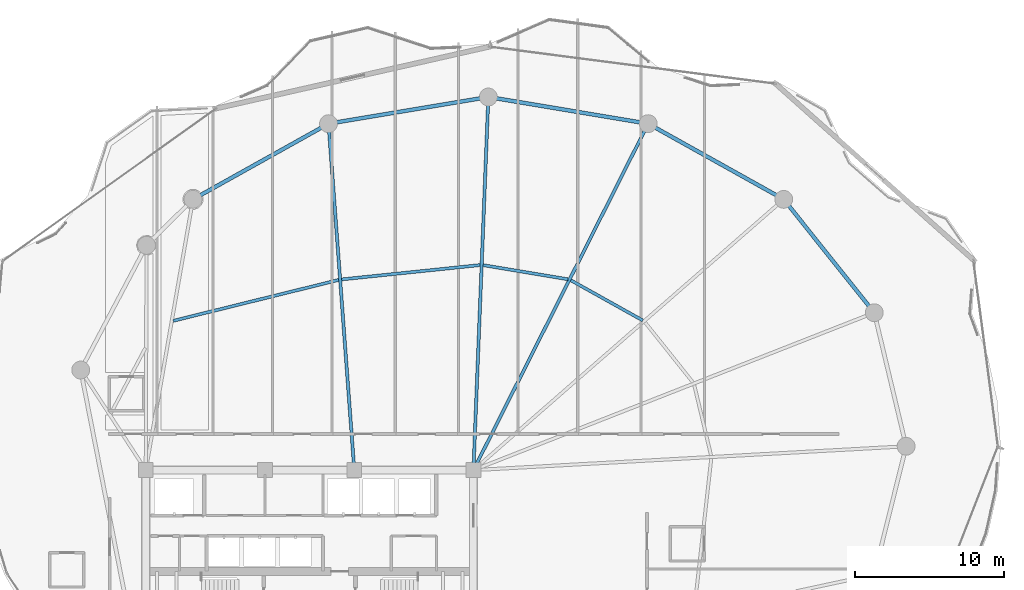
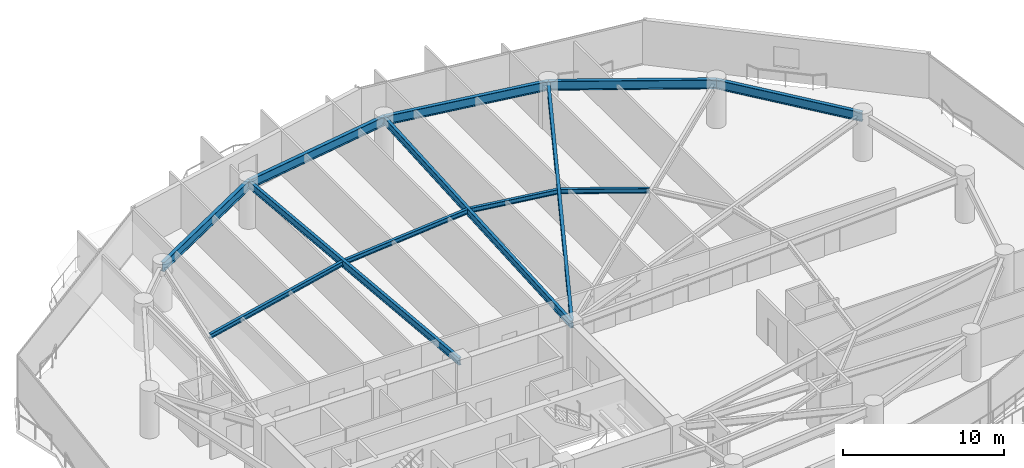
# One storey, part 20 of 33: 12 beams.
"""IFC4 building model written with IfcOpenShell, lengths in metres."""

from ifc_helpers import new_model, si_unit, direction, frame, origin, origin_2d, place, context, subcontext, project, spatial, i_section, extrude, material, material_profile, profile_set, type_object, element, save


model = new_model("IFC4")

# Units and contexts
model_context = context("Model", 3, precision=1e-05, world=origin(), true_north=direction((0.0, 1.0)))
body_context = subcontext(model_context, "Body", "Model", "MODEL_VIEW")
ifc_project = project(units=[si_unit("LENGTHUNIT", "METRE"), si_unit("AREAUNIT", "SQUARE_METRE"), si_unit("VOLUMEUNIT", "CUBIC_METRE"), si_unit("PLANEANGLEUNIT", "RADIAN"), si_unit("MASSUNIT", "GRAM", prefix="KILO")], contexts=[model_context])

# Site, building, storey
site_placement = place(None, origin())
site = spatial("IfcSite", under=ifc_project, at=site_placement, CompositionType="ELEMENT")
building_placement = place(site_placement, origin())
building = spatial("IfcBuilding", under=site, at=building_placement, Name="Kazevale Care Tower and Concert Hall", CompositionType="ELEMENT")
storey_placement = place(building_placement, frame((0.0, 0.0, 145.800048828125)))
storey = spatial("IfcBuildingStorey", under=building, at=storey_placement, Name="L38", CompositionType="ELEMENT", Elevation=145.800048828125)

# Beams
ifc_material = material(Name="Steel ASTM A572 Gr 50", Category="steel")
ifc_material_profile_1 = material_profile(ifc_material, i_section(OverallWidth=0.2119140625, OverallDepth=0.5439453125, WebThickness=0.01318359375, FlangeThickness=0.021240234375, at=origin_2d()), Name="W530x123")
ifc_profile_set_1 = profile_set([ifc_material_profile_1], Name="Steel ASTM A572 Gr 50")
beam_type_1 = type_object("IfcBeamType", Name="Radial Floor Girder W530x123", PredefinedType="BEAM", material=ifc_profile_set_1)
beam_1_placement = place(storey_placement, frame((44.0, 36.39990234375, 3.087890625), z_axis=(0.450281187568, 0.892886808124, 0.0), x_axis=(-0.892886808124, 0.450281187568, 0.0)))
element("IfcBeam", 1, at=beam_1_placement, inside=storey, type_object=beam_type_1, Name="beam:L38:rad:04", PredefinedType="BEAM", context=body_context, shape_type="SweptSolid", body=[
    extrude(i_section(OverallWidth=0.2119140625, OverallDepth=0.5439453125, WebThickness=0.01318359375, FlangeThickness=0.021240234375, at=origin_2d()), origin(), (0.0, 0.0, 1.0), 26.05029296875),
])
beam_2_placement = place(storey_placement, frame((44.0, 36.39990234375, 3.087890625), z_axis=(0.039888311255, 0.99920414462, 0.0), x_axis=(-0.99920414462, 0.039888311255, 0.0)))
element("IfcBeam", 2, at=beam_2_placement, inside=storey, type_object=beam_type_1, Name="beam:L38:rad:05", PredefinedType="BEAM", context=body_context, shape_type="SweptSolid", body=[
    extrude(i_section(OverallWidth=0.2119140625, OverallDepth=0.5439453125, WebThickness=0.01318359375, FlangeThickness=0.021240234375, at=origin_2d()), origin(), (0.0, 0.0, 1.0), 25.070068359375),
])
beam_3_placement = place(storey_placement, frame((36.0, 36.39990234375, 3.087890625), z_axis=(-0.074170876808, 0.997245547011, 0.0), x_axis=(-0.997245547011, -0.074170876808, 0.0)))
element("IfcBeam", 3, at=beam_3_placement, inside=storey, type_object=beam_type_1, Name="beam:L38:rad:06", PredefinedType="BEAM", context=body_context, shape_type="SweptSolid", body=[
    extrude(i_section(OverallWidth=0.2119140625, OverallDepth=0.5439453125, WebThickness=0.01318359375, FlangeThickness=0.021240234375, at=origin_2d()), origin(), (0.0, 0.0, 1.0), 23.32421875),
])
ifc_material_profile_2 = material_profile(ifc_material, i_section(OverallWidth=0.205078125, OverallDepth=0.35400390625, WebThickness=0.009521484375, FlangeThickness=0.016845703125, at=origin_2d()), Name="W360x79")
ifc_profile_set_2 = profile_set([ifc_material_profile_2], Name="Steel ASTM A572 Gr 50")
beam_type_2 = type_object("IfcBeamType", Name="Secondary Floor Joist W360x79", PredefinedType="JOIST", material=ifc_profile_set_2)
beam_4_placement = place(storey_placement, frame((55.364990234375, 46.449951171875, 3.182861328125), z_axis=(-0.873137755824, 0.487473547338, 0.0), x_axis=(-0.487473547338, -0.873137755824, 0.0)))
element("IfcBeam", 4, at=beam_4_placement, inside=storey, type_object=beam_type_2, Name="beam:L38:joist:03", PredefinedType="JOIST", context=body_context, shape_type="SweptSolid", body=[
    extrude(i_section(OverallWidth=0.205078125, OverallDepth=0.35400390625, WebThickness=0.009521484375, FlangeThickness=0.016845703125, at=origin_2d()), origin(), (0.0, 0.0, 1.0), 5.522705078125),
])
beam_5_placement = place(storey_placement, frame((50.347900390625, 49.2099609375, 3.182861328125), z_axis=(-0.986366476547, 0.164563586324, 0.0), x_axis=(-0.164563586324, -0.986366476547, 0.0)))
element("IfcBeam", 5, at=beam_5_placement, inside=storey, type_object=beam_type_2, Name="beam:L38:joist:04", PredefinedType="JOIST", context=body_context, shape_type="SweptSolid", body=[
    extrude(i_section(OverallWidth=0.205078125, OverallDepth=0.35400390625, WebThickness=0.009521484375, FlangeThickness=0.016845703125, at=origin_2d()), origin(), (0.0, 0.0, 1.0), 5.7724609375),
])
beam_6_placement = place(storey_placement, frame((44.446044921875, 50.1669921875, 3.182861328125), z_axis=(-0.994674810104, -0.10306319491, 0.0), x_axis=(0.10306319491, -0.994674810104, 0.0)))
element("IfcBeam", 6, at=beam_6_placement, inside=storey, type_object=beam_type_2, Name="beam:L38:joist:05", PredefinedType="JOIST", context=body_context, shape_type="SweptSolid", body=[
    extrude(i_section(OverallWidth=0.205078125, OverallDepth=0.35400390625, WebThickness=0.009521484375, FlangeThickness=0.016845703125, at=origin_2d()), origin(), (0.0, 0.0, 1.0), 9.3427734375),
])
beam_7_placement = place(storey_placement, frame((34.947021484375, 49.16796875, 3.182861328125), z_axis=(-0.970789504014, -0.239932779954, 0.0), x_axis=(0.239932779954, -0.970789504014, 0.0)))
element("IfcBeam", 7, at=beam_7_placement, inside=storey, type_object=beam_type_2, Name="beam:L38:joist:06", PredefinedType="JOIST", context=body_context, shape_type="SweptSolid", body=[
    extrude(i_section(OverallWidth=0.205078125, OverallDepth=0.35400390625, WebThickness=0.009521484375, FlangeThickness=0.016845703125, at=origin_2d()), origin(), (0.0, 0.0, 1.0), 11.43603515625),
])
ifc_material_profile_3 = material_profile(ifc_material, i_section(OverallWidth=0.256103515625, OverallDepth=0.693115234375, WebThickness=0.014404296875, FlangeThickness=0.023681640625, at=origin_2d()), Name="W690x170")
ifc_profile_set_3 = profile_set([ifc_material_profile_3], Name="Steel ASTM A572 Gr 50")
beam_type_3 = type_object("IfcBeamType", Name="Waist Ring Beam W690x170", PredefinedType="BEAM", material=ifc_profile_set_3)
beam_8_placement = place(storey_placement, frame((70.909912109375, 46.969970703125, 3.013427734375), z_axis=(-0.624178340034, 0.781281895242, 0.0), x_axis=(-0.781281895242, -0.624178340034, 0.0)))
element("IfcBeam", 8, at=beam_8_placement, inside=storey, type_object=beam_type_3, Name="beam:L38:ring:02", PredefinedType="BEAM", context=body_context, shape_type="SweptSolid", body=[
    extrude(i_section(OverallWidth=0.256103515625, OverallDepth=0.693115234375, WebThickness=0.014404296875, FlangeThickness=0.023681640625, at=origin_2d()), origin(), (0.0, 0.0, 1.0), 9.740478515625),
])
beam_9_placement = place(storey_placement, frame((64.830078125, 54.580078125, 3.013427734375), z_axis=(-0.873168720251, 0.487418081297, 0.0), x_axis=(-0.487418081297, -0.873168720251, 0.0)))
element("IfcBeam", 9, at=beam_9_placement, inside=storey, type_object=beam_type_3, Name="beam:L38:ring:03", PredefinedType="BEAM", context=body_context, shape_type="SweptSolid", body=[
    extrude(i_section(OverallWidth=0.256103515625, OverallDepth=0.693115234375, WebThickness=0.014404296875, FlangeThickness=0.023681640625, at=origin_2d()), origin(), (0.0, 0.0, 1.0), 10.421875),
])
for number, where, z_axis, x_axis, name in (
    (10, (55.72998046875, 59.659912109375, 3.013427734375), (-0.986368436187, 0.164551840139, 0.0), (-0.164551840139, -0.986368436187, 0.0), "beam:L38:ring:04"),
    (11, (45.0, 61.449951171875, 3.013427734375), (-0.986368436187, -0.164551840139, 0.0), (0.164551840139, -0.986368436187, 0.0), "beam:L38:ring:05"),
):
    element("IfcBeam", number, at=place(storey_placement, frame(where, z_axis=z_axis, x_axis=x_axis)), inside=storey, type_object=beam_type_3, Name=name, PredefinedType="BEAM", context=body_context, shape_type="SweptSolid", body=[
        extrude(i_section(OverallWidth=0.256103515625, OverallDepth=0.693115234375, WebThickness=0.014404296875, FlangeThickness=0.023681640625, at=origin_2d()), origin(), (0.0, 0.0, 1.0), 10.878173828125),
    ])
beam_10_placement = place(storey_placement, frame((34.27001953125, 59.659912109375, 3.013427734375), z_axis=(-0.873168720251, -0.487418081297, 0.0), x_axis=(0.487418081297, -0.873168720251, 0.0)))
element("IfcBeam", 12, at=beam_10_placement, inside=storey, type_object=beam_type_3, Name="beam:L38:ring:06", PredefinedType="BEAM", context=body_context, shape_type="SweptSolid", body=[
    extrude(i_section(OverallWidth=0.256103515625, OverallDepth=0.693115234375, WebThickness=0.014404296875, FlangeThickness=0.023681640625, at=origin_2d()), origin(), (0.0, 0.0, 1.0), 10.421875),
])

save(model, "model.ifc")
